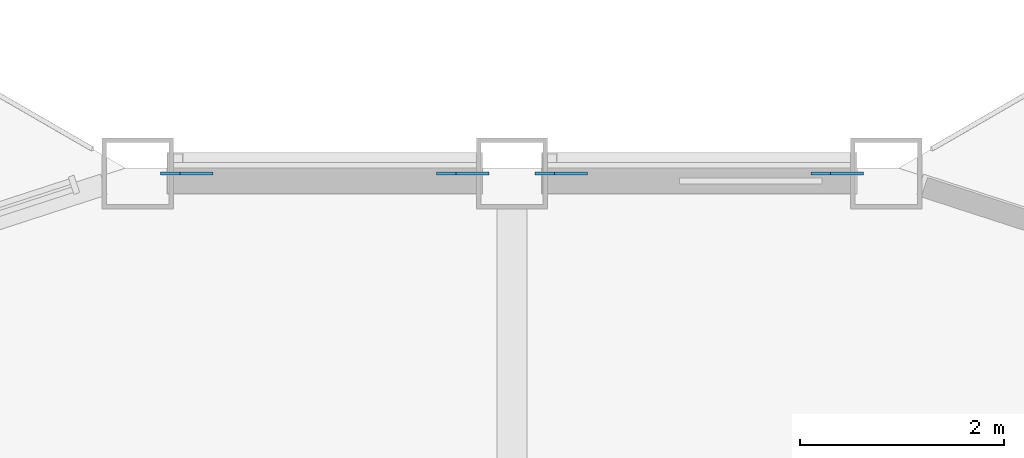
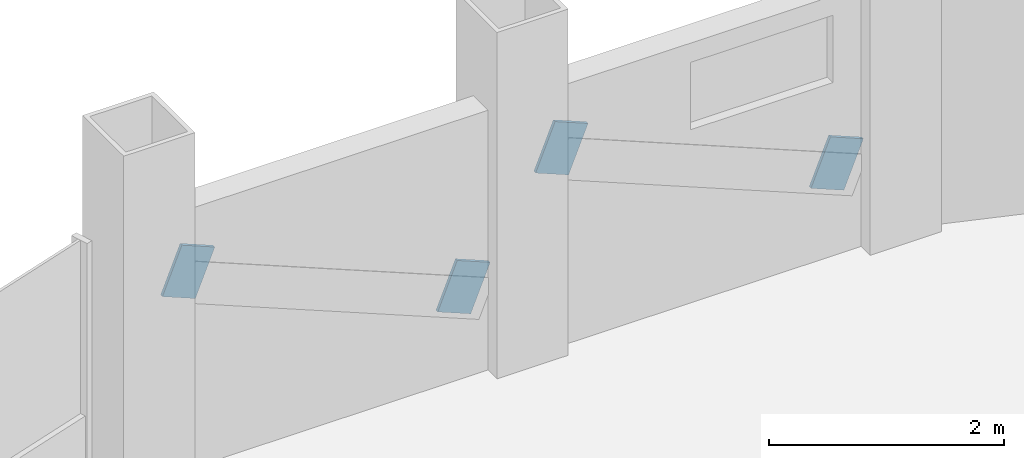
# One storey, part 18 of 24: 4 discrete accessories.
"""IFC4 building model written with IfcOpenShell, lengths in metres."""

from ifc_helpers import new_model, si_unit, direction, frame, origin, origin_2d, place, context, subcontext, project, spatial, rectangle, extrude, material, material_profile, profile_set, type_object, element, save


model = new_model("IFC4")

# Units and contexts
model_context = context("Model", 3, precision=1e-05, world=origin(), true_north=direction((0.0, 1.0)))
body_context = subcontext(model_context, "Body", "Model", "MODEL_VIEW")
ifc_project = project(units=[si_unit("LENGTHUNIT", "METRE"), si_unit("AREAUNIT", "SQUARE_METRE"), si_unit("VOLUMEUNIT", "CUBIC_METRE"), si_unit("PLANEANGLEUNIT", "RADIAN"), si_unit("MASSUNIT", "GRAM", prefix="KILO")], contexts=[model_context])

# Site, building, storey
site_placement = place(None, origin())
site = spatial("IfcSite", under=ifc_project, at=site_placement, CompositionType="ELEMENT")
building_placement = place(site_placement, origin())
building = spatial("IfcBuilding", under=site, at=building_placement, Name="Cormorant Prow Tower", CompositionType="ELEMENT")
storey_placement = place(building_placement, frame((0.0, 0.0, 270.60009765625)))
storey = spatial("IfcBuildingStorey", under=building, at=storey_placement, Name="L61", CompositionType="ELEMENT", Elevation=270.60009765625)

# Discrete accessories
ifc_material = material(Name="Structural steel ASTM A500 Gr C", Category="steel")
ifc_material_profile = material_profile(ifc_material, rectangle(XDim=0.031982421875, YDim=0.506103515625, at=origin_2d()), Name="Gusset plate 32x506")
ifc_profile_set = profile_set([ifc_material_profile], Name="Structural steel ASTM A500 Gr C")
discrete_accessory_type = type_object("IfcDiscreteAccessoryType", Name="Gusset plate 32x506", PredefinedType="BRACKET", material=ifc_profile_set)
for number, where, z_axis, x_axis, name in (
    (1, (3.027099609375, 32.073486328125, 0.863037109375), (0.925513623242, 0.0, -0.378714316067), (0.0, 1.0, 0.0), "Gusset plate GP2 L61.N00.g0"),
    (2, (0.643310546875, 32.073486328125, 1.837646484375), (-0.925513623242, 0.0, 0.378714316067), (0.0, -1.0, 0.0), "Gusset plate GP2 L61.N00.g1"),
    (3, (-0.643310546875, 32.073486328125, 0.863037109375), (0.925513623242, 0.0, -0.378714316067), (0.0, 1.0, 0.0), "Gusset plate GP2 L61.N01.g0"),
    (4, (-3.027099609375, 32.073486328125, 1.837646484375), (-0.925513623242, 0.0, 0.378714316067), (0.0, -1.0, 0.0), "Gusset plate GP2 L61.N01.g1"),
):
    element("IfcDiscreteAccessory", number, at=place(storey_placement, frame(where, z_axis=z_axis, x_axis=x_axis)), inside=storey, type_object=discrete_accessory_type, Name=name, PredefinedType="BRACKET", context=body_context, shape_type="SweptSolid", body=[
        extrude(rectangle(XDim=0.031982421875, YDim=0.506103515625, at=origin_2d()), origin(), (0.0, 0.0, 1.0), 0.35009765625),
    ])

save(model, "model.ifc")
